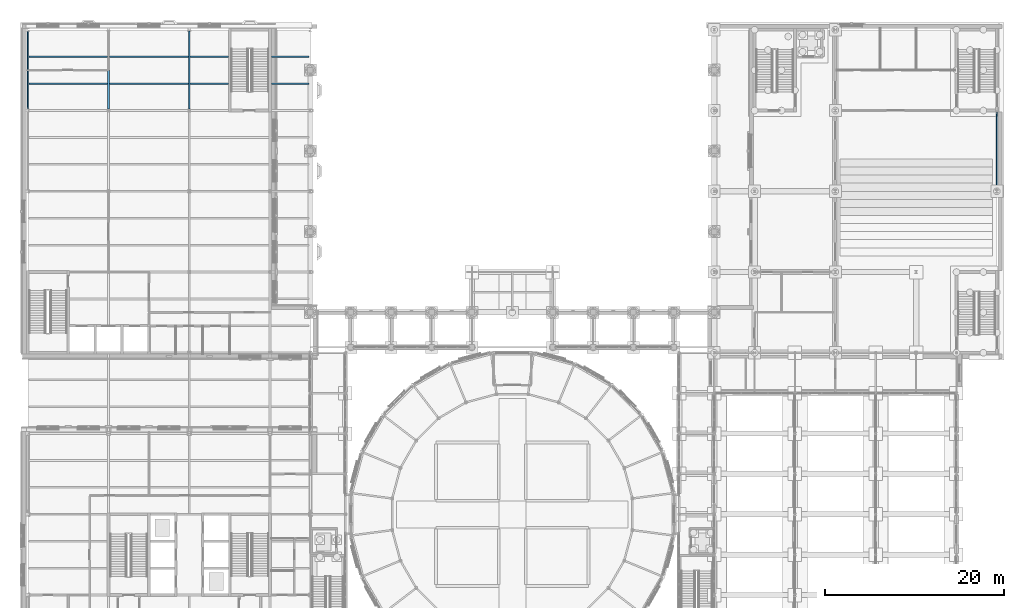
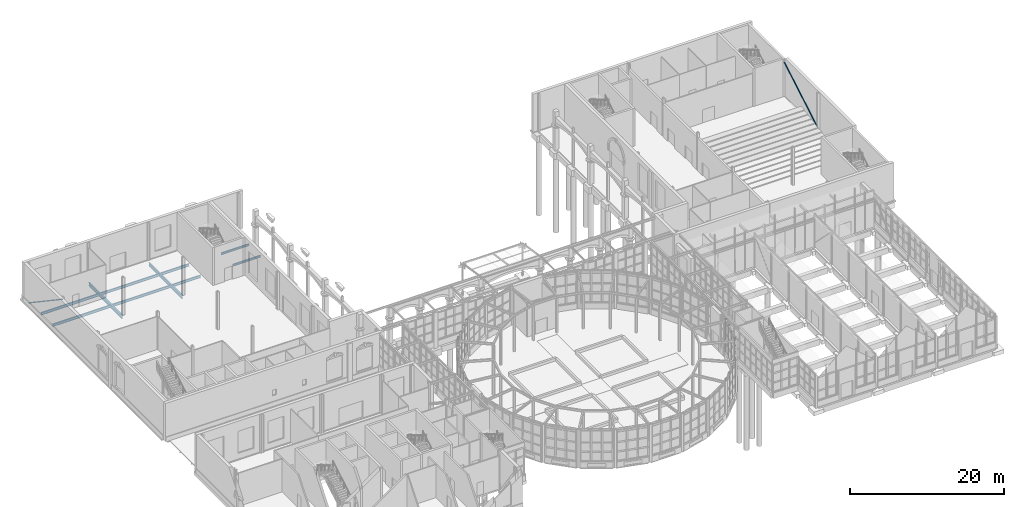
# One storey, part 54 of 106: 10 beams, 2 members.
"""IFC4 building model written with IfcOpenShell, lengths in metres."""

from ifc_helpers import new_model, si_unit, direction, frame, origin, origin_2d, place, context, subcontext, project, spatial, hollow_circle, i_section, extrude, material, material_profile, profile_set, type_object, element, save


model = new_model("IFC4")

# Units and contexts
model_context = context("Model", 3, precision=1e-05, world=origin(), true_north=direction((0.0, 1.0)))
body_context = subcontext(model_context, "Body", "Model", "MODEL_VIEW")
ifc_project = project(units=[si_unit("LENGTHUNIT", "METRE"), si_unit("AREAUNIT", "SQUARE_METRE"), si_unit("VOLUMEUNIT", "CUBIC_METRE"), si_unit("PLANEANGLEUNIT", "RADIAN"), si_unit("MASSUNIT", "GRAM", prefix="KILO")], contexts=[model_context])

# Site, building, storey
site_placement = place(None, origin())
site = spatial("IfcSite", under=ifc_project, at=site_placement, CompositionType="ELEMENT")
building_placement = place(site_placement, origin())
building = spatial("IfcBuilding", under=site, at=building_placement, Name="Hortulan Conservatory and Botanical Research Centre", CompositionType="ELEMENT")
storey_placement = place(building_placement, origin())
storey = spatial("IfcBuildingStorey", under=building, at=storey_placement, Name="L00", CompositionType="ELEMENT", Elevation=0.0)

# Members
ifc_material_1 = material(Name="Steel Grade C350L0 (350 MPa, AS/NZS 1163)", Category="steel")
ifc_material_profile_1 = material_profile(ifc_material_1, hollow_circle(Radius=0.084228515625, WallThickness=0.00634765625, at=origin_2d()), Name="168.3x6.4CHS")
ifc_profile_set_1 = profile_set([ifc_material_profile_1], Name="Steel Grade C350L0 (350 MPa, AS/NZS 1163)")
member_type = type_object("IfcMemberType", Name="Brace 168.3x6.4CHS", PredefinedType="BRACE", material=ifc_profile_set_1)
member_1_placement = place(storey_placement, frame((0.0, 71.839599609375, -0.342041015625), z_axis=(0.0, -0.829662167286, 0.558265786319), x_axis=(1.0, 0.0, 0.0)))
element("IfcMember", 1, at=member_1_placement, inside=storey, type_object=member_type, Name="168.3x6.4CHS brace", PredefinedType="BRACE", context=body_context, shape_type="SweptSolid", body=[
    extrude(hollow_circle(Radius=0.084228515625, WallThickness=0.00634765625, at=origin_2d()), origin(), (0.0, 0.0, 1.0), 10.461181640625),
])
member_2_placement = place(storey_placement, frame((108.0, 54.199951171875, 0.41796875), z_axis=(0.0, 0.86144408883, 0.5078524213), x_axis=(-1.0, 0.0, 0.0)))
element("IfcMember", 2, at=member_2_placement, inside=storey, type_object=member_type, Name="168.3x6.4CHS brace", PredefinedType="BRACE", context=body_context, shape_type="SweptSolid", body=[
    extrude(hollow_circle(Radius=0.084228515625, WallThickness=0.00634765625, at=origin_2d()), origin(), (0.0, 0.0, 1.0), 9.9833984375),
])

# Beams
ifc_material_2 = material(Name="Steel Grade 300PLUS (AS/NZS 3679.1, 280 MPa minimum yield)", Category="steel")
ifc_material_profile_2 = material_profile(ifc_material_2, i_section(OverallWidth=0.208984375, OverallDepth=0.532958984375, WebThickness=0.01025390625, FlangeThickness=0.015625, FilletRadius=0.013916015625, at=origin_2d()), Name="530UB92.4")
ifc_profile_set_2 = profile_set([ifc_material_profile_2], Name="Steel Grade 300PLUS (AS/NZS 3679.1, 280 MPa minimum yield)")
beam_type_1 = type_object("IfcBeamType", Name="Primary Beam 530UB92.4", PredefinedType="BEAM", material=ifc_profile_set_2)
for number, where, z_axis, x_axis, name in (
    (3, (9.0, 63.160400390625, -0.466552734375), (0.0, 1.0, 0.0), (-1.0, 0.0, 0.0), "530UB92.4 girder"),
    (4, (18.0, 63.160400390625, -0.466552734375), (0.0, 1.0, 0.0), (-1.0, 0.0, 0.0), "530UB92.4 girder"),
):
    element("IfcBeam", number, at=place(storey_placement, frame(where, z_axis=z_axis, x_axis=x_axis)), inside=storey, type_object=beam_type_1, Name=name, PredefinedType="BEAM", context=body_context, shape_type="SweptSolid", body=[
        extrude(i_section(OverallWidth=0.208984375, OverallDepth=0.532958984375, WebThickness=0.01025390625, FlangeThickness=0.015625, FilletRadius=0.013916015625, at=origin_2d()), origin(), (0.0, 0.0, 1.0), 8.68505859375),
    ])
ifc_material_profile_3 = material_profile(ifc_material_2, i_section(OverallWidth=0.1650390625, OverallDepth=0.303955078125, WebThickness=0.006103515625, FlangeThickness=0.01025390625, FilletRadius=0.011474609375, at=origin_2d()), Name="310UB40.4")
ifc_profile_set_3 = profile_set([ifc_material_profile_3], Name="Steel Grade 300PLUS (AS/NZS 3679.1, 280 MPa minimum yield)")
beam_type_2 = type_object("IfcBeamType", Name="Secondary Beam 310UB40.4", PredefinedType="JOIST", material=ifc_profile_set_3)
for number, where, z_axis, x_axis, name in (
    (5, (27.14990234375, 66.0, -0.35205078125), (1.0, 0.0, 0.0), (0.0, 1.0, 0.0), "310UB40.4 secondary beam"),
    (6, (27.14990234375, 69.0, -0.35205078125), (1.0, 0.0, 0.0), (0.0, 1.0, 0.0), "310UB40.4 secondary beam"),
):
    element("IfcBeam", number, at=place(storey_placement, frame(where, z_axis=z_axis, x_axis=x_axis)), inside=storey, type_object=beam_type_2, Name=name, PredefinedType="JOIST", context=body_context, shape_type="SweptSolid", body=[
        extrude(i_section(OverallWidth=0.1650390625, OverallDepth=0.303955078125, WebThickness=0.006103515625, FlangeThickness=0.01025390625, FilletRadius=0.011474609375, at=origin_2d()), origin(), (0.0, 0.0, 1.0), 4.2001953125),
    ])
ifc_material_profile_4 = material_profile(ifc_material_2, i_section(OverallWidth=0.177978515625, OverallDepth=0.406005859375, WebThickness=0.0078125, FlangeThickness=0.0126953125, FilletRadius=0.011474609375, at=origin_2d()), Name="410UB59.7")
ifc_profile_set_4 = profile_set([ifc_material_profile_4], Name="Steel Grade 300PLUS (AS/NZS 3679.1, 280 MPa minimum yield)")
beam_type_3 = type_object("IfcBeamType", Name="Secondary Beam 410UB59.7", PredefinedType="JOIST", material=ifc_profile_set_4)
for number, where, z_axis, x_axis, name in (
    (7, (0.14990234375, 66.0, -0.403076171875), (1.0, 0.0, 0.0), (0.0, 1.0, 0.0), "410UB59.7 secondary beam"),
    (8, (0.14990234375, 69.0, -0.403076171875), (1.0, 0.0, 0.0), (0.0, 1.0, 0.0), "410UB59.7 secondary beam"),
):
    element("IfcBeam", number, at=place(storey_placement, frame(where, z_axis=z_axis, x_axis=x_axis)), inside=storey, type_object=beam_type_3, Name=name, PredefinedType="JOIST", context=body_context, shape_type="SweptSolid", body=[
        extrude(i_section(OverallWidth=0.177978515625, OverallDepth=0.406005859375, WebThickness=0.0078125, FlangeThickness=0.0126953125, FilletRadius=0.011474609375, at=origin_2d()), origin(), (0.0, 0.0, 1.0), 8.74560546875),
    ])
for number, where, z_axis, x_axis, name in (
    (9, (9.1044921875, 66.0, -0.403076171875), (1.0, 0.0, 0.0), (0.0, 1.0, 0.0), "410UB59.7 secondary beam"),
    (10, (9.1044921875, 69.0, -0.403076171875), (1.0, 0.0, 0.0), (0.0, 1.0, 0.0), "410UB59.7 secondary beam"),
):
    element("IfcBeam", number, at=place(storey_placement, frame(where, z_axis=z_axis, x_axis=x_axis)), inside=storey, type_object=beam_type_3, Name=name, PredefinedType="JOIST", context=body_context, shape_type="SweptSolid", body=[
        extrude(i_section(OverallWidth=0.177978515625, OverallDepth=0.406005859375, WebThickness=0.0078125, FlangeThickness=0.0126953125, FilletRadius=0.011474609375, at=origin_2d()), origin(), (0.0, 0.0, 1.0), 8.791015625),
    ])
for number, where, z_axis, x_axis, name in (
    (11, (18.1044921875, 66.0, -0.403076171875), (1.0, 0.0, 0.0), (0.0, 1.0, 0.0), "410UB59.7 secondary beam"),
    (12, (18.1044921875, 69.0, -0.403076171875), (1.0, 0.0, 0.0), (0.0, 1.0, 0.0), "410UB59.7 secondary beam"),
):
    element("IfcBeam", number, at=place(storey_placement, frame(where, z_axis=z_axis, x_axis=x_axis)), inside=storey, type_object=beam_type_3, Name=name, PredefinedType="JOIST", context=body_context, shape_type="SweptSolid", body=[
        extrude(i_section(OverallWidth=0.177978515625, OverallDepth=0.406005859375, WebThickness=0.0078125, FlangeThickness=0.0126953125, FilletRadius=0.011474609375, at=origin_2d()), origin(), (0.0, 0.0, 1.0), 4.24560546875),
    ])

save(model, "model.ifc")
